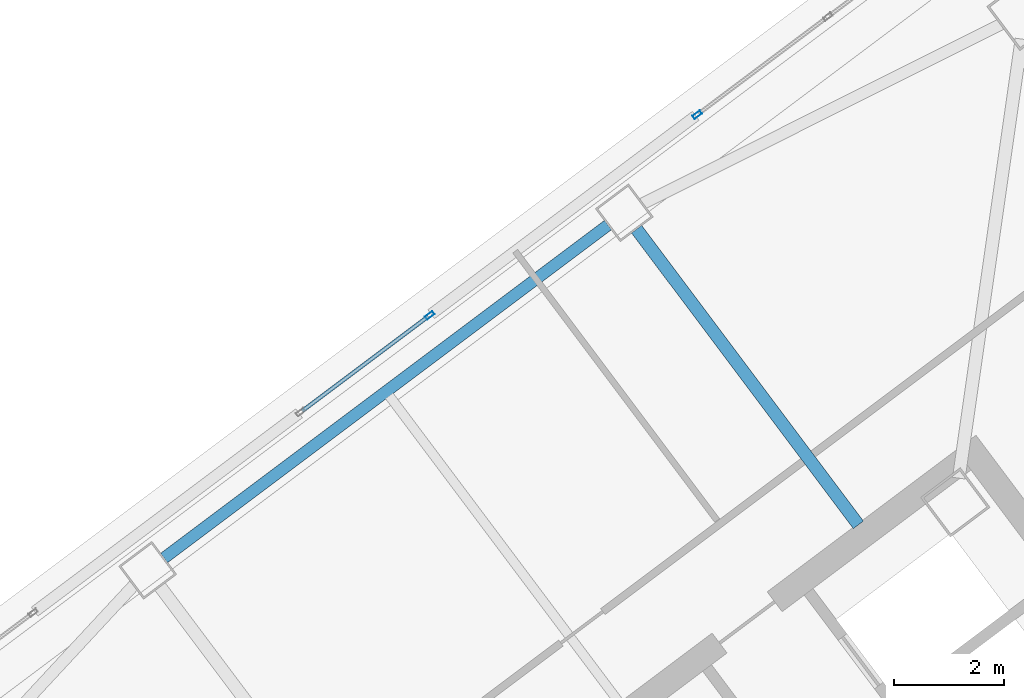
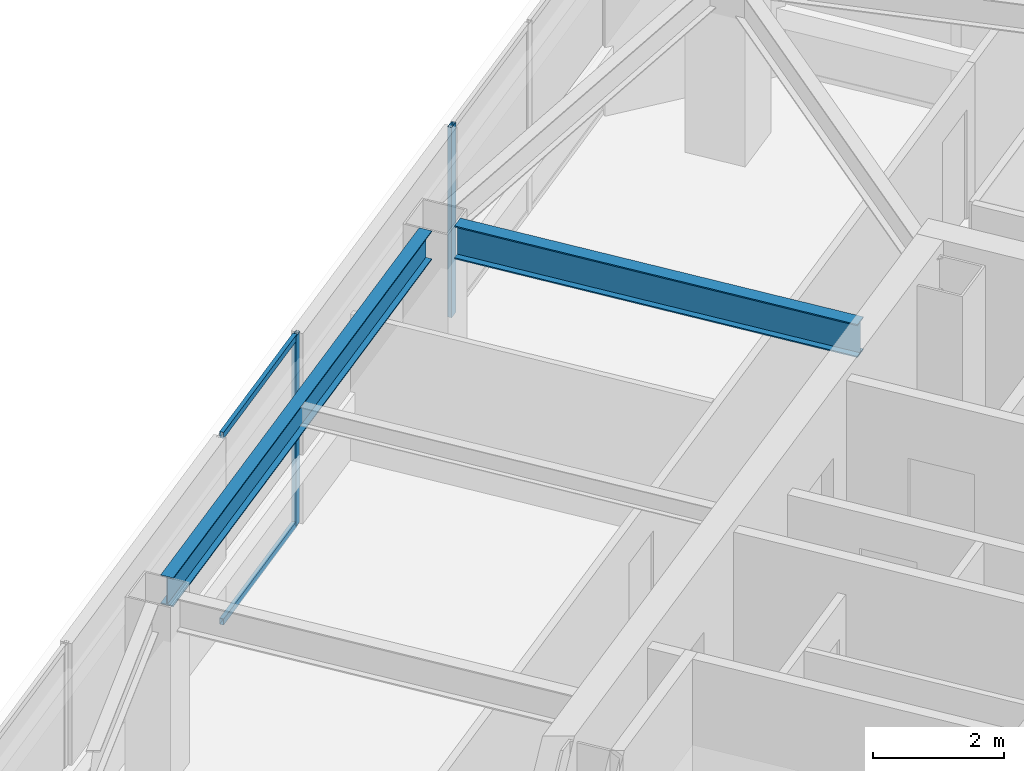
# One storey, part 29 of 44: 4 members, 2 beams, 2 elements without a shape of their own.
"""IFC4 building model written with IfcOpenShell, lengths in metres."""

from ifc_helpers import new_model, si_unit, direction, frame, origin, origin_2d, place, context, subcontext, project, spatial, hollow_rectangle, i_section, extrude, material, material_profile, profile_set, type_object, element, aggregate, save


model = new_model("IFC4")

# Units and contexts
model_context = context("Model", 3, precision=1e-05, world=origin(), true_north=direction((0.0, 1.0)))
body_context = subcontext(model_context, "Body", "Model", "MODEL_VIEW")
ifc_project = project(units=[si_unit("LENGTHUNIT", "METRE"), si_unit("AREAUNIT", "SQUARE_METRE"), si_unit("VOLUMEUNIT", "CUBIC_METRE"), si_unit("PLANEANGLEUNIT", "RADIAN"), si_unit("MASSUNIT", "GRAM", prefix="KILO")], contexts=[model_context])

# Site, building, storey
site_placement = place(None, origin())
site = spatial("IfcSite", under=ifc_project, at=site_placement, CompositionType="ELEMENT")
building_placement = place(site_placement, origin())
building = spatial("IfcBuilding", under=site, at=building_placement, Name="Tashvorn Skyway Center", CompositionType="ELEMENT")
storey_placement = place(building_placement, frame((0.0, 0.0, 211.300048828125)))
storey = spatial("IfcBuildingStorey", under=building, at=storey_placement, Name="L57", CompositionType="ELEMENT", Elevation=211.300048828125)

# Beams
ifc_material_1 = material(Name="Steel ASTM A992 Grade 50", Category="steel")
ifc_material_profile_1 = material_profile(ifc_material_1, i_section(OverallWidth=0.22998046875, OverallDepth=0.616943359375, WebThickness=0.01318359375, FlangeThickness=0.022216796875, at=origin_2d()), Name="W24X94")
ifc_profile_set_1 = profile_set([ifc_material_profile_1], Name="Steel ASTM A992 Grade 50")
beam_type_1 = type_object("IfcBeamType", Name="BM-BEAM-W24X94", PredefinedType="BEAM", material=ifc_profile_set_1)
beam_1_placement = place(storey_placement, frame((109.632080078125, 46.823974609375, 3.0615234375), z_axis=(0.600011660554, -0.799991254452, 0.0), x_axis=(0.799991254452, 0.600011660554, 0.0)))
element("IfcBeam", 1, at=beam_1_placement, inside=storey, type_object=beam_type_1, Name="Tower 2 L57 Primary Floor Girder FC-N1", PredefinedType="BEAM", context=body_context, shape_type="SweptSolid", body=[
    extrude(i_section(OverallWidth=0.22998046875, OverallDepth=0.616943359375, WebThickness=0.01318359375, FlangeThickness=0.022216796875, at=origin_2d()), origin(), (0.0, 0.0, 1.0), 6.699951171875),
])
ifc_material_profile_2 = material_profile(ifc_material_1, i_section(OverallWidth=0.2109375, OverallDepth=0.5390625, WebThickness=0.01171875, FlangeThickness=0.018798828125, at=origin_2d()), Name="W21X73")
ifc_profile_set_2 = profile_set([ifc_material_profile_2], Name="Steel ASTM A992 Grade 50")
beam_type_2 = type_object("IfcBeamType", Name="BM-SPANDREL-W21X73", PredefinedType="SPANDREL", material=ifc_profile_set_2)
beam_2_placement = place(storey_placement, frame((109.114013671875, 46.89794921875, 3.100341796875), z_axis=(-0.800008736549, -0.599988351091, 0.0), x_axis=(0.599988351091, -0.800008736549, 0.0)))
element("IfcBeam", 2, at=beam_2_placement, inside=storey, type_object=beam_type_2, Name="Tower 2 L57 Spandrel Beam 08", PredefinedType="SPANDREL", context=body_context, shape_type="SweptSolid", body=[
    extrude(i_section(OverallWidth=0.2109375, OverallDepth=0.5390625, WebThickness=0.01171875, FlangeThickness=0.018798828125, at=origin_2d()), origin(), (0.0, 0.0, 1.0), 10.06005859375),
])

# Curtain wall, member
ifc_material_2 = material(Name="Thermally broken bronze-anodized aluminium 6063-T6", Category="aluminium")
curtain_wall_type = type_object("IfcCurtainWallType", Name="CW-CW-Z5", PredefinedType="NOTDEFINED", material=ifc_material_2)
curtain_wall_1_placement = place(storey_placement, origin())
curtain_wall_1 = element("IfcCurtainWall", 3, at=curtain_wall_1_placement, inside=storey, type_object=curtain_wall_type, Name="Tower 2 L57 North Unitised Curtain Wall Glazing Group 2", PredefinedType="NOTDEFINED")
ifc_material_profile_3 = material_profile(ifc_material_2, hollow_rectangle(XDim=0.070068359375, YDim=0.1650390625, WallThickness=0.00390625, at=origin_2d()), Name="ALU-MULL-70x165")
ifc_profile_set_3 = profile_set([ifc_material_profile_3], Name="Thermally broken bronze-anodized aluminium 6063-T6")
member_type_1 = type_object("IfcMemberType", Name="CWM-CW-Z5", PredefinedType="MULLION", material=ifc_profile_set_3)
member_1_placement = place(storey_placement, frame((105.882080078125, 45.26171875, 0.0), z_axis=(0.0, 0.0, 1.0), x_axis=(-0.600021364741, 0.799983975999, 0.0)))
member_1 = element("IfcMember", 4, at=member_1_placement, type_object=member_type_1, Name="CW-Z5 mullion 2", PredefinedType="MULLION", context=body_context, shape_type="SweptSolid", body=[
    extrude(hollow_rectangle(XDim=0.070068359375, YDim=0.1650390625, WallThickness=0.00390625, at=origin_2d()), origin(), (0.0, 0.0, 1.0), 3.550048828125),
])

curtain_wall_2_placement = place(storey_placement, origin())
curtain_wall_2 = element("IfcCurtainWall", 5, at=curtain_wall_2_placement, inside=storey, type_object=curtain_wall_type, Name="Tower 2 L57 North Unitised Curtain Wall Glazing Group 3", PredefinedType="NOTDEFINED")
member_2_placement = place(storey_placement, frame((110.731201171875, 48.898193359375, 0.0), z_axis=(0.0, 0.0, 1.0), x_axis=(-0.600002670604, 0.79999799704, 0.0)))
member_2 = element("IfcMember", 6, at=member_2_placement, type_object=member_type_1, Name="CW-Z5 mullion 1", PredefinedType="MULLION", context=body_context, shape_type="SweptSolid", body=[
    extrude(hollow_rectangle(XDim=0.070068359375, YDim=0.1650390625, WallThickness=0.00390625, at=origin_2d()), origin(), (0.0, 0.0, 1.0), 3.550048828125),
])
aggregate(curtain_wall_2, [member_2])

# Member
ifc_material_profile_4 = material_profile(ifc_material_2, hollow_rectangle(XDim=0.070068359375, YDim=0.114990234375, WallThickness=0.00390625, at=origin_2d()), Name="ALU-TRAN-70x115")
ifc_profile_set_4 = profile_set([ifc_material_profile_4], Name="Thermally broken bronze-anodized aluminium 6063-T6")
member_type_2 = type_object("IfcMemberType", Name="CWT-CW-Z5", PredefinedType="USERDEFINED", material=ifc_profile_set_4)
member_3_placement = place(storey_placement, frame((103.56982421875, 43.52734375, 0.034912109375), z_axis=(0.799989740316, 0.600013679335, 0.0), x_axis=(-0.600013679335, 0.799989740316, 0.0)))
member_3 = element("IfcMember", 7, at=member_3_placement, type_object=member_type_2, Name="CW-Z5 transom 1.1", ObjectType="TRANSOM", PredefinedType="USERDEFINED", context=body_context, shape_type="SweptSolid", body=[
    extrude(hollow_rectangle(XDim=0.070068359375, YDim=0.114990234375, WallThickness=0.00390625, at=origin_2d()), origin(), (0.0, 0.0, 1.0), 2.85546875),
])

member_4_placement = place(storey_placement, frame((103.56982421875, 43.52734375, 3.514892578125), z_axis=(0.799989740316, 0.600013679335, 0.0), x_axis=(-0.600013679335, 0.799989740316, 0.0)))
member_4 = element("IfcMember", 8, at=member_4_placement, type_object=member_type_2, Name="CW-Z5 transom 1.2", ObjectType="TRANSOM", PredefinedType="USERDEFINED", context=body_context, shape_type="SweptSolid", body=[
    extrude(hollow_rectangle(XDim=0.070068359375, YDim=0.114990234375, WallThickness=0.00390625, at=origin_2d()), origin(), (0.0, 0.0, 1.0), 2.85546875),
])

aggregate(curtain_wall_1, [member_1, member_3, member_4])

save(model, "model.ifc")
